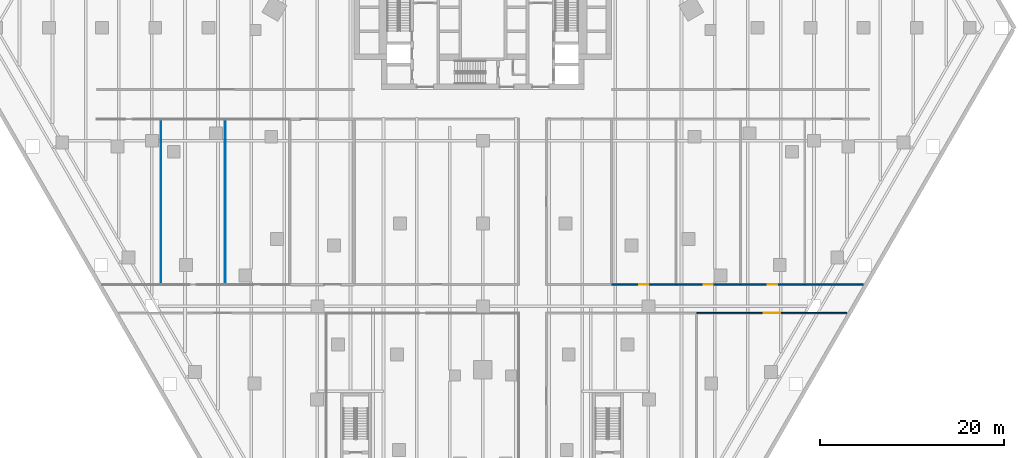
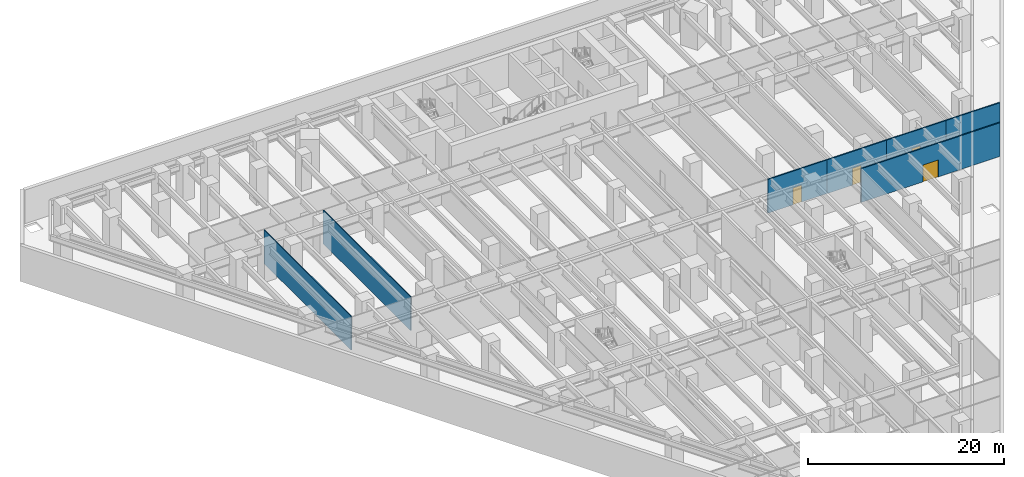
# One storey, part 13 of 20: 7 walls, 4 doors, 4 openings.
"""IFC4 building model written with IfcOpenShell, lengths in metres."""

from ifc_helpers import new_model, si_unit, direction, frame, frame_2d, origin, place, context, subcontext, project, spatial, rectangle, extrude, material, layer, layer_set, type_object, element, fill, save


model = new_model("IFC4")

# Units and contexts
model_context = context("Model", 3, precision=1e-05, world=origin(), true_north=direction((0.0, 1.0)))
body_context = subcontext(model_context, "Body", "Model", "MODEL_VIEW")
ifc_project = project(units=[si_unit("LENGTHUNIT", "METRE"), si_unit("AREAUNIT", "SQUARE_METRE"), si_unit("VOLUMEUNIT", "CUBIC_METRE"), si_unit("PLANEANGLEUNIT", "RADIAN"), si_unit("MASSUNIT", "GRAM", prefix="KILO")], contexts=[model_context])

# Site, building, storey
site_placement = place(None, origin())
site = spatial("IfcSite", under=ifc_project, at=site_placement, CompositionType="ELEMENT")
building_placement = place(site_placement, origin())
building = spatial("IfcBuilding", under=site, at=building_placement, Name="Aloe Facet Convention Tower", CompositionType="ELEMENT")
storey_placement = place(building_placement, frame((0.0, 0.0, -4.5)))
storey = spatial("IfcBuildingStorey", under=building, at=storey_placement, Name="B1", CompositionType="ELEMENT", Elevation=-4.5)

# Wall, opening, door
ifc_material_1 = material(Name="Gypsum board partition on steel studs, double layer", Category="steel")
ifc_layer_1 = layer(ifc_material_1, 0.14990234375)
ifc_layer_set_1 = layer_set([ifc_layer_1], Name="IN-POD-W-CORR")
wall_type_1 = type_object("IfcWallType", Name="IN-POD-W-CORR", PredefinedType="PARTITIONING", material=ifc_layer_set_1)
wall_1_placement = place(storey_placement, frame((103.2470703125, 98.25, 0.0), z_axis=(0.0, 0.0, 1.0), x_axis=(1.0, 0.0, 0.0)))
wall_1 = element("IfcWall", 1, at=wall_1_placement, inside=storey, type_object=wall_type_1, Name="Partition B1-W030", PredefinedType="PARTITIONING", context=body_context, shape_type="SweptSolid", body=[
    extrude(rectangle(XDim=16.347412109375, YDim=0.14990234375, at=frame_2d((8.173828125, 0.0))), origin(), (0.0, 0.0, 1.0), 4.199951171875),
])
opening_1_placement = place(wall_1_placement, frame((7.273681640625, 0.0, 0.0)))
opening_1 = element("IfcOpeningElement", 2, at=opening_1_placement, cuts=wall_1, Name="Opening B1-017", PredefinedType="OPENING", context=body_context, shape_type="SweptSolid", body=[
    extrude(rectangle(XDim=1.800048828125, YDim=2.10009765625, at=frame_2d((0.89990234375, 1.050048828125))), frame((0.0, 0.0849609375, 0.0), z_axis=(0.0, -1.0, 0.0), x_axis=(1.0, 0.0, 0.0)), (0.0, 0.0, 1.0), 0.169921875),
])
ifc_material_2 = material(Name="Steel flush door pair, galvanised", Category="steel")
door_type_1 = type_object("IfcDoorType", Name="IN-POD-D-PLANTPAIR", OperationType="DOUBLE_DOOR_SINGLE_SWING", PredefinedType="DOOR", material=ifc_material_2)
door_1_placement = place(opening_1_placement, origin())
door_1 = element("IfcDoor", 3, at=door_1_placement, inside=storey, type_object=door_type_1, Name="Door B1-017", OperationType="SINGLE_SWING_LEFT", OverallHeight=2.10009765625, OverallWidth=1.800048828125, PredefinedType="DOOR", context=body_context, shape_type="SweptSolid", body=[
    extrude(rectangle(XDim=1.800048828125, YDim=2.10009765625, at=frame_2d((0.89990234375, 1.050048828125))), frame((0.0, 0.02490234375, 0.0), z_axis=(0.0, -1.0, 0.0), x_axis=(1.0, 0.0, 0.0)), (0.0, 0.0, 1.0), 0.050048828125),
])
fill(opening_1, door_1)

wall_2_placement = place(storey_placement, frame((94.0, 101.35009765625, 0.0), z_axis=(0.0, 0.0, 1.0), x_axis=(1.0, 0.0, 0.0)))
wall_2 = element("IfcWall", 4, at=wall_2_placement, inside=storey, type_object=wall_type_1, Name="Partition B1-W043", PredefinedType="PARTITIONING", context=body_context, shape_type="SweptSolid", body=[
    extrude(rectangle(XDim=7.0, YDim=0.14990234375, at=frame_2d((3.5, 0.0))), origin(), (0.0, 0.0, 1.0), 4.199951171875),
])
opening_2_placement = place(wall_2_placement, frame((3.0, 0.0, 0.0)))
opening_2 = element("IfcOpeningElement", 5, at=opening_2_placement, cuts=wall_2, Name="Opening B1-010", PredefinedType="OPENING", context=body_context, shape_type="SweptSolid", body=[
    extrude(rectangle(XDim=1.0, YDim=2.10009765625, at=frame_2d((0.5, 1.050048828125))), frame((0.0, 0.0849609375, 0.0), z_axis=(0.0, -1.0, 0.0), x_axis=(1.0, 0.0, 0.0)), (0.0, 0.0, 1.0), 0.169921875),
])
ifc_material_3 = material(Name="Steel flush door, galvanised", Category="steel")
door_type_2 = type_object("IfcDoorType", Name="IN-POD-D-PLANT", OperationType="SINGLE_SWING_LEFT", PredefinedType="DOOR", material=ifc_material_3)
door_2_placement = place(opening_2_placement, origin())
door_2 = element("IfcDoor", 6, at=door_2_placement, inside=storey, type_object=door_type_2, Name="Door B1-010", OperationType="SINGLE_SWING_LEFT", OverallHeight=2.10009765625, OverallWidth=1.0, PredefinedType="DOOR", context=body_context, shape_type="SweptSolid", body=[
    extrude(rectangle(XDim=1.0, YDim=2.10009765625, at=frame_2d((0.5, 1.050048828125))), frame((0.0, 0.02490234375, 0.0), z_axis=(0.0, -1.0, 0.0), x_axis=(1.0, 0.0, 0.0)), (0.0, 0.0, 1.0), 0.050048828125),
])
fill(opening_2, door_2)

wall_3_placement = place(storey_placement, frame((101.0, 101.35009765625, 0.0), z_axis=(0.0, 0.0, 1.0), x_axis=(1.0, 0.0, 0.0)))
wall_3 = element("IfcWall", 7, at=wall_3_placement, inside=storey, type_object=wall_type_1, Name="Partition B1-W045", PredefinedType="PARTITIONING", context=body_context, shape_type="SweptSolid", body=[
    extrude(rectangle(XDim=7.0, YDim=0.14990234375, at=frame_2d((3.5, 0.0))), origin(), (0.0, 0.0, 1.0), 4.199951171875),
])
opening_3_placement = place(wall_3_placement, frame((3.0, 0.0, 0.0)))
opening_3 = element("IfcOpeningElement", 8, at=opening_3_placement, cuts=wall_3, Name="Opening B1-011", PredefinedType="OPENING", context=body_context, shape_type="SweptSolid", body=[
    extrude(rectangle(XDim=1.0, YDim=2.10009765625, at=frame_2d((0.5, 1.050048828125))), frame((0.0, 0.0849609375, 0.0), z_axis=(0.0, -1.0, 0.0), x_axis=(1.0, 0.0, 0.0)), (0.0, 0.0, 1.0), 0.169921875),
])
door_3_placement = place(opening_3_placement, origin())
door_3 = element("IfcDoor", 9, at=door_3_placement, inside=storey, type_object=door_type_2, Name="Door B1-011", OperationType="SINGLE_SWING_LEFT", OverallHeight=2.10009765625, OverallWidth=1.0, PredefinedType="DOOR", context=body_context, shape_type="SweptSolid", body=[
    extrude(rectangle(XDim=1.0, YDim=2.10009765625, at=frame_2d((0.5, 1.050048828125))), frame((0.0, 0.02490234375, 0.0), z_axis=(0.0, -1.0, 0.0), x_axis=(1.0, 0.0, 0.0)), (0.0, 0.0, 1.0), 0.050048828125),
])
fill(opening_3, door_3)

wall_4_placement = place(storey_placement, frame((108.0, 101.35009765625, 0.0), z_axis=(0.0, 0.0, 1.0), x_axis=(1.0, 0.0, 0.0)))
wall_4 = element("IfcWall", 10, at=wall_4_placement, inside=storey, type_object=wall_type_1, Name="Partition B1-W047", PredefinedType="PARTITIONING", context=body_context, shape_type="SweptSolid", body=[
    extrude(rectangle(XDim=7.0, YDim=0.14990234375, at=frame_2d((3.5, 0.0))), origin(), (0.0, 0.0, 1.0), 4.199951171875),
])
opening_4_placement = place(wall_4_placement, frame((3.0, 0.0, 0.0)))
opening_4 = element("IfcOpeningElement", 11, at=opening_4_placement, cuts=wall_4, Name="Opening B1-012", PredefinedType="OPENING", context=body_context, shape_type="SweptSolid", body=[
    extrude(rectangle(XDim=1.0, YDim=2.10009765625, at=frame_2d((0.5, 1.050048828125))), frame((0.0, 0.0849609375, 0.0), z_axis=(0.0, -1.0, 0.0), x_axis=(1.0, 0.0, 0.0)), (0.0, 0.0, 1.0), 0.169921875),
])
door_4_placement = place(opening_4_placement, origin())
door_4 = element("IfcDoor", 12, at=door_4_placement, inside=storey, type_object=door_type_2, Name="Door B1-012", OperationType="SINGLE_SWING_LEFT", OverallHeight=2.10009765625, OverallWidth=1.0, PredefinedType="DOOR", context=body_context, shape_type="SweptSolid", body=[
    extrude(rectangle(XDim=1.0, YDim=2.10009765625, at=frame_2d((0.5, 1.050048828125))), frame((0.0, 0.02490234375, 0.0), z_axis=(0.0, -1.0, 0.0), x_axis=(1.0, 0.0, 0.0)), (0.0, 0.0, 1.0), 0.050048828125),
])
fill(opening_4, door_4)

# Walls
wall_5_placement = place(storey_placement, frame((115.0, 101.35009765625, 0.0), z_axis=(0.0, 0.0, 1.0), x_axis=(1.0, 0.0, 0.0)))
element("IfcWall", 13, at=wall_5_placement, inside=storey, type_object=wall_type_1, Name="Partition B1-W049", PredefinedType="PARTITIONING", context=body_context, shape_type="SweptSolid", body=[
    extrude(rectangle(XDim=6.38427734375, YDim=0.14990234375, at=frame_2d((3.192138671875, 0.0))), origin(), (0.0, 0.0, 1.0), 4.199951171875),
])
ifc_material_4 = material(Name="Gypsum board partition on steel studs, moisture resistant", Category="steel")
ifc_layer_2 = layer(ifc_material_4, 0.10009765625)
ifc_layer_set_2 = layer_set([ifc_layer_2], Name="IN-POD-W-WET")
wall_type_2 = type_object("IfcWallType", Name="IN-POD-W-WET", PredefinedType="PARTITIONING", material=ifc_layer_set_2)
for number, where, z_axis, x_axis, name in (
    (14, (45.0, 101.425048828125, 0.0), (0.0, 0.0, 1.0), (0.0, 1.0, 0.0), "Partition B1-W032"),
    (15, (52.0, 101.425048828125, 0.0), (0.0, 0.0, 1.0), (0.0, 1.0, 0.0), "Partition B1-W034"),
):
    element("IfcWall", number, at=place(storey_placement, frame(where, z_axis=z_axis, x_axis=x_axis)), inside=storey, type_object=wall_type_2, Name=name, PredefinedType="PARTITIONING", context=body_context, shape_type="SweptSolid", body=[
        extrude(rectangle(XDim=17.849853515625, YDim=0.10009765625, at=frame_2d((8.9248046875, 0.0))), origin(), (0.0, 0.0, 1.0), 4.199951171875),
    ])

save(model, "model.ifc")
